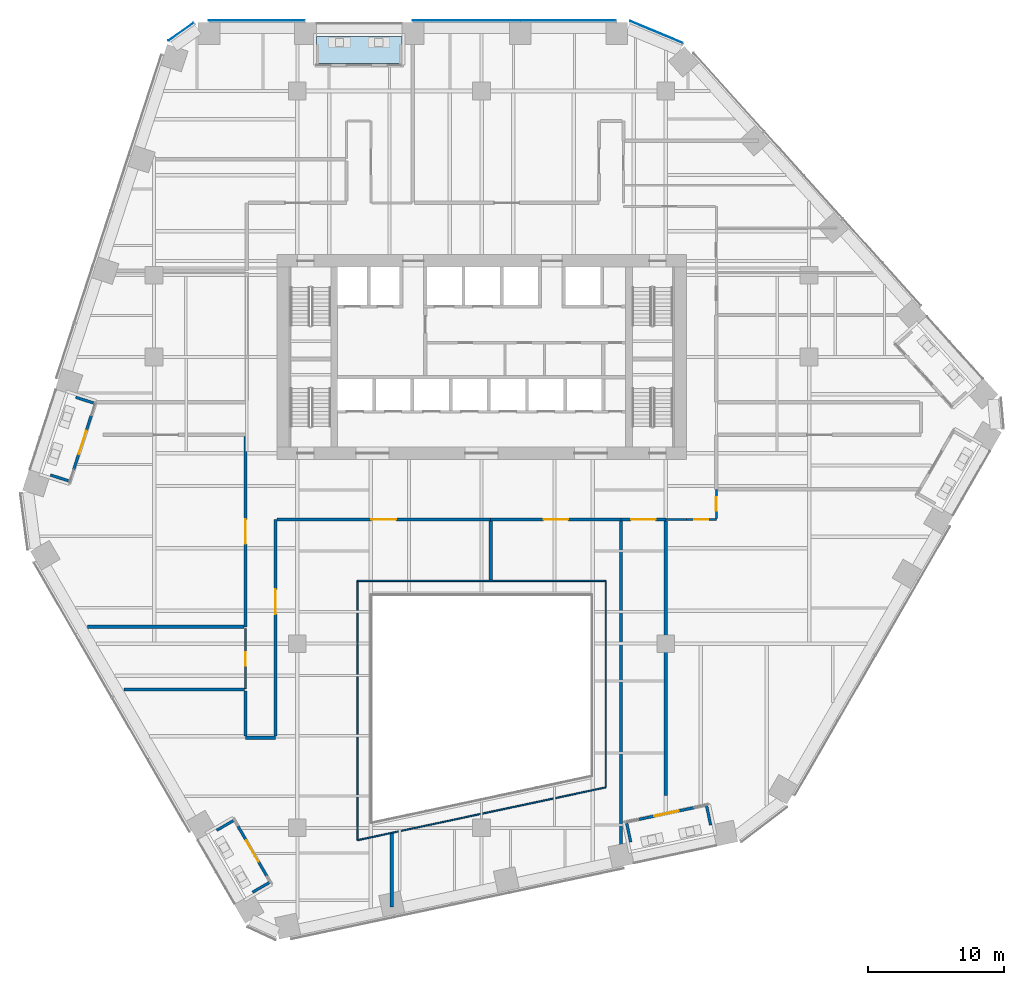
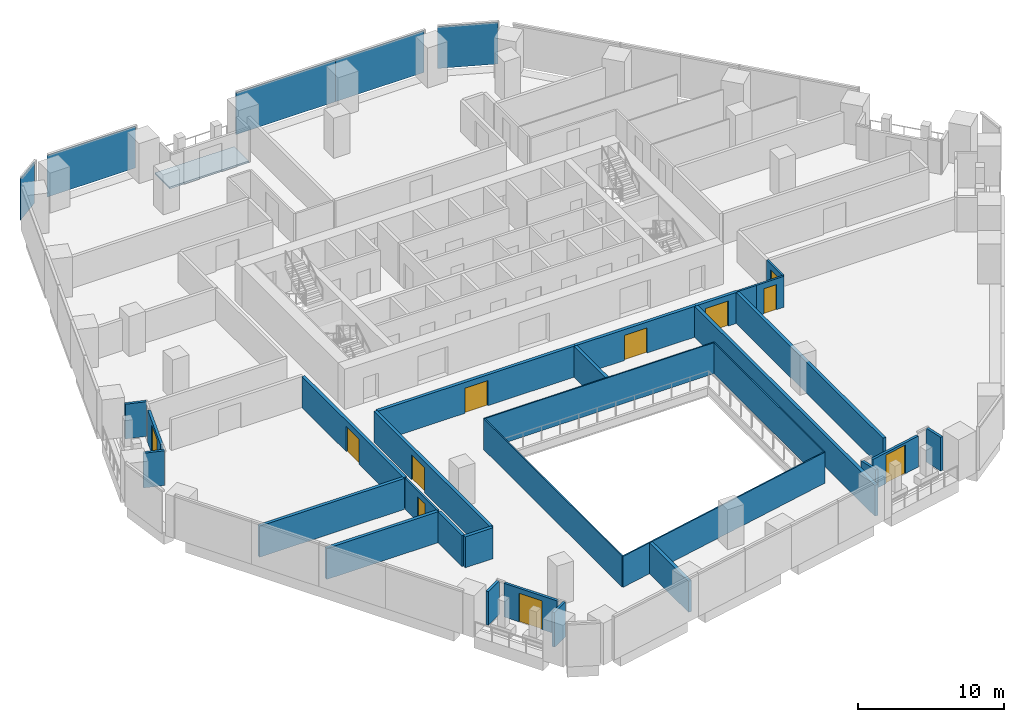
# One storey, part 22 of 31: 30 walls, 11 doors, 5 plates, 1 slab, 11 openings, 3 elements without a shape of their own.
"""IFC4 building model written with IfcOpenShell, lengths in metres."""

import ifcopenshell
import ifcopenshell.guid

model = None  # the IFC model being written
_history = None  # IfcOwnerHistory: only IFC2X3 demands one
_inside = {}  # id of a spatial element -> (the spatial element, [elements in it])
_under = {}  # id of a project, library or spatial element -> (it, [spatial elements below it])
_declared = {}  # id of a project -> (the project, [libraries it declares])
_typed = {}  # id of a type object -> (the type object, [elements of that type])
_made_of = {}  # id of a material, layer set ... -> (it, [elements and type objects made of it])


def new_model(schema):
    """Start an empty IFC model of exactly this schema.

    Asked for "IFC4X3", IfcOpenShell would pick the latest addendum, in which some entities
    have other attributes; the version numbers below select the first issue.
    IFC2X3 requires an IfcOwnerHistory on every rooted entity: one is made here for all.
    """
    global model, _history
    if schema == "IFC4X3":
        model = ifcopenshell.file(schema_version=(4, 3, 0, 0))
    else:
        model = ifcopenshell.file(schema=schema)
    _inside.clear()
    _under.clear()
    _declared.clear()
    _typed.clear()
    _made_of.clear()
    _history = None
    if model.schema == "IFC2X3":
        org = make("IfcOrganization", Name="unknown")
        user = make(
            "IfcPersonAndOrganization",
            ThePerson=make("IfcPerson", FamilyName="unknown"),
            TheOrganization=org,
        )
        app = make(
            "IfcApplication",
            ApplicationDeveloper=org,
            Version="unknown",
            ApplicationFullName="unknown",
            ApplicationIdentifier="unknown",
        )
        _history = make(
            "IfcOwnerHistory",
            OwningUser=user,
            OwningApplication=app,
            ChangeAction="ADDED",
            CreationDate=0,
        )
    return model


def make(cls, **values):
    """One entity of the class cls with the attributes given. An attribute that is None is left unset."""
    return model.create_entity(
        cls, **{name: value for name, value in values.items() if value is not None}
    )


def rooted(cls, **values):
    """An entity with a GlobalId (a new one), such as an element, a storey or a relation."""
    return make(cls, GlobalId=ifcopenshell.guid.new(), OwnerHistory=_history, **values)


def si_unit(unit_type, name, prefix=None):
    """IfcSIUnit, for example si_unit("LENGTHUNIT", "METRE", prefix="MILLI")."""
    return make("IfcSIUnit", UnitType=unit_type, Prefix=prefix, Name=name)


def assignment(units):
    """IfcUnitAssignment: the units of a project."""
    return None if units is None else make("IfcUnitAssignment", Units=units)


def point(xyz):
    """IfcCartesianPoint."""
    return None if xyz is None else make("IfcCartesianPoint", Coordinates=xyz)


def direction(xyz):
    """IfcDirection."""
    return None if xyz is None else make("IfcDirection", DirectionRatios=xyz)


def frame(location, z_axis=None, x_axis=None):
    """IfcAxis2Placement3D, a coordinate frame: its origin and axes. An axis left out is left unset."""
    return make(
        "IfcAxis2Placement3D",
        Location=point(location),
        Axis=direction(z_axis),
        RefDirection=direction(x_axis),
    )


def frame_2d(location, x_axis=None):
    """IfcAxis2Placement2D, a coordinate frame in the plane: its origin and x axis."""
    return make(
        "IfcAxis2Placement2D", Location=point(location), RefDirection=direction(x_axis)
    )


def origin():
    """The frame at (0, 0, 0) with its axes left unset."""
    return frame((0.0, 0.0, 0.0))


def origin_2d():
    """The frame at (0, 0) in the plane with its x axis left unset."""
    return frame_2d((0.0, 0.0))


def place(relative_to, where):
    """IfcLocalPlacement: puts the frame where relative to a parent placement (None: the world)."""
    return make(
        "IfcLocalPlacement", PlacementRelTo=relative_to, RelativePlacement=where
    )


def context(
    kind, dimensions, precision=None, world=None, true_north=None, identifier=None
):
    """IfcGeometricRepresentationContext, for example the 3D "Model" context."""
    return make(
        "IfcGeometricRepresentationContext",
        ContextIdentifier=identifier,
        ContextType=kind,
        CoordinateSpaceDimension=dimensions,
        Precision=precision,
        WorldCoordinateSystem=world,
        TrueNorth=true_north,
    )


def subcontext(parent, identifier, kind, view, scale=None):
    """IfcGeometricRepresentationSubContext, for example "Body" below "Model"."""
    return make(
        "IfcGeometricRepresentationSubContext",
        ContextIdentifier=identifier,
        ContextType=kind,
        ParentContext=parent,
        TargetScale=scale,
        TargetView=view,
    )


def project(units=None, contexts=None):
    """IfcProject with its units and contexts."""
    return rooted(
        "IfcProject",
        Name="project",
        RepresentationContexts=contexts,
        UnitsInContext=assignment(units),
    )


def spatial(cls, under=None, at=None, **own):
    """A site, building, storey or space (cls), placed at a placement, below another one or the project."""
    s = rooted(cls, ObjectPlacement=at, **own)
    if under is not None:
        _under.setdefault(under.id(), (under, []))[1].append(s)
    return s


def polyline(points):
    """IfcPolyline through the points."""
    return make("IfcPolyline", Points=[point(p) for p in points])


def profile(cls, at=None, kind="AREA", **sizes):
    """A parametric profile (cls). Its sizes go by their IFC names, for example OverallWidth=200.0."""
    return make(cls, ProfileType=kind, Position=at, **sizes)


def rectangle(**sizes):
    """IfcRectangleProfileDef."""
    return profile("IfcRectangleProfileDef", **sizes)


def outline(outer, holes=None, kind="AREA"):
    """IfcArbitraryClosedProfileDef: a profile drawn as a closed curve; with holes, ...WithVoids."""
    if holes is None:
        return make("IfcArbitraryClosedProfileDef", ProfileType=kind, OuterCurve=outer)
    return make(
        "IfcArbitraryProfileDefWithVoids",
        ProfileType=kind,
        OuterCurve=outer,
        InnerCurves=holes,
    )


def extrude(swept, where, along, depth):
    """IfcExtrudedAreaSolid: the profile swept, set in the frame where, extruded along a direction by depth."""
    return make(
        "IfcExtrudedAreaSolid",
        SweptArea=swept,
        Position=where,
        ExtrudedDirection=direction(along),
        Depth=depth,
    )


def shape(context_of_items, identifier, shape_type, items):
    """IfcShapeRepresentation: the items that make up one representation, for example the "Body"."""
    return make(
        "IfcShapeRepresentation",
        ContextOfItems=context_of_items,
        RepresentationIdentifier=identifier,
        RepresentationType=shape_type,
        Items=items,
    )


def material(Name=None, Category=None):
    """IfcMaterial."""
    return make("IfcMaterial", Name=Name, Category=Category)


def layer(
    of_material, thickness, ventilated=None, Name=None, Category=None, Priority=None
):
    """IfcMaterialLayer: one layer of a wall or slab, of a material (None: an air gap)."""
    return make(
        "IfcMaterialLayer",
        Material=of_material,
        LayerThickness=thickness,
        IsVentilated=ventilated,
        Name=Name,
        Category=Category,
        Priority=Priority,
    )


def layer_set(layers, Name=None):
    """IfcMaterialLayerSet."""
    return make("IfcMaterialLayerSet", MaterialLayers=layers, LayerSetName=Name)


def made_of(thing, what):
    """Note that an element or type object is made of a material, layer set ...; save() writes the relation."""
    if what is not None:
        _made_of.setdefault(what.id(), (what, []))[1].append(thing)
    return thing


def type_object(cls, material=None, **own):
    """A type object (cls), such as IfcWallType, which elements share."""
    return made_of(rooted(cls, **own), material)


def element(
    cls,
    number,
    at=None,
    inside=None,
    cuts=None,
    type_object=None,
    material=None,
    context=None,
    identifier="Body",
    shape_type=None,
    held_by="IfcProductDefinitionShape",
    body=None,
    shapes=None,
    **own,
):
    """One element of the class cls, such as IfcWall. Its Tag is "e" and its number.

    at: its placement. inside: the storey or other place that contains it. cuts: it is an
    opening in that element (IfcRelVoidsElement). A single representation is given by context,
    identifier, shape_type and body (its items); several are given by shapes. held_by: the class
    of the entity that holds the representations. save() writes the other relations.
    """
    e = rooted(cls, Tag="e%d" % number, ObjectPlacement=at, **own)
    if body is not None:
        shapes = [shape(context, identifier, shape_type, body)]
    if shapes is not None:
        e.Representation = make(held_by, Representations=shapes)
    if inside is not None:
        _inside.setdefault(inside.id(), (inside, []))[1].append(e)
    if cuts is not None:
        rooted(
            "IfcRelVoidsElement", RelatingBuildingElement=cuts, RelatedOpeningElement=e
        )
    if type_object is not None:
        _typed.setdefault(type_object.id(), (type_object, []))[1].append(e)
    return made_of(e, material)


def fill(opening, filler):
    """IfcRelFillsElement: the door or window that sits in an opening."""
    return rooted(
        "IfcRelFillsElement",
        RelatingOpeningElement=opening,
        RelatedBuildingElement=filler,
    )


def aggregate(whole, parts):
    """IfcRelAggregates: a whole, such as a stair, and the parts it consists of."""
    return rooted("IfcRelAggregates", RelatingObject=whole, RelatedObjects=parts)


def save(model, path):
    """Write the relations noted so far, then the file.

    IfcRelAggregates (storeys below a building ...), IfcRelContainedInSpatialStructure (elements
    in a storey), IfcRelDefinesByType, IfcRelAssociatesMaterial and IfcRelDeclares: one each for
    every whole, place, type object, material and project.
    """
    for whole, parts in _under.values():
        aggregate(whole, parts)
    for where, things in _inside.values():
        rooted(
            "IfcRelContainedInSpatialStructure",
            RelatedElements=things,
            RelatingStructure=where,
        )
    for kind, things in _typed.values():
        rooted("IfcRelDefinesByType", RelatedObjects=things, RelatingType=kind)
    for what, things in _made_of.values():
        rooted("IfcRelAssociatesMaterial", RelatedObjects=things, RelatingMaterial=what)
    for by, libraries in _declared.values():
        rooted("IfcRelDeclares", RelatingContext=by, RelatedDefinitions=libraries)
    model.write(path)


model = new_model("IFC4")

# Units and contexts
model_context = context("Model", 3, precision=1e-05, world=origin(), true_north=direction((0.0, 1.0)))
body_context = subcontext(model_context, "Body", "Model", "MODEL_VIEW")
ifc_project = project(units=[si_unit("LENGTHUNIT", "METRE"), si_unit("AREAUNIT", "SQUARE_METRE"), si_unit("VOLUMEUNIT", "CUBIC_METRE"), si_unit("PLANEANGLEUNIT", "RADIAN"), si_unit("MASSUNIT", "GRAM", prefix="KILO")], contexts=[model_context])

# Site, building, storey
site_placement = place(None, origin())
site = spatial("IfcSite", under=ifc_project, at=site_placement, CompositionType="ELEMENT")
building_placement = place(site_placement, origin())
building = spatial("IfcBuilding", under=site, at=building_placement, Name="Isthmus Gate Tower", CompositionType="ELEMENT")
storey_placement = place(building_placement, frame((0.0, 0.0, 113.5)))
storey = spatial("IfcBuildingStorey", under=building, at=storey_placement, Name="L27", CompositionType="ELEMENT", Elevation=113.5)

# Curtain wall, plates
ifc_material_1 = material(Name="Aluminium, pale champagne anodised", Category="aluminium")
ifc_layer_1 = layer(ifc_material_1, 0.199951171875)
ifc_layer_set_1 = layer_set([ifc_layer_1], Name="CW-1 UNITISED CURTAIN WALL 200 DEEP")
curtain_wall_type = type_object("IfcCurtainWallType", Name="CW-1 UNITISED CURTAIN WALL 200 DEEP", PredefinedType="NOTDEFINED", material=ifc_layer_set_1)
curtain_wall_1_placement = place(storey_placement, origin())
curtain_wall_1 = element("IfcCurtainWall", 1, at=curtain_wall_1_placement, inside=storey, type_object=curtain_wall_type, Name="CW-1 N L27", PredefinedType="NOTDEFINED")
ifc_material_2 = material(Name="Laminated low-iron glass, pale blue tint", Category="glass")
ifc_layer_2 = layer(ifc_material_2, 0.0400390625)
ifc_layer_set_2 = layer_set([ifc_layer_2], Name="CW-1 CLEAR GLASS LITE 40")
plate_type = type_object("IfcPlateType", Name="CW-1 CLEAR GLASS LITE 40", PredefinedType="CURTAIN_PANEL", material=ifc_layer_set_2)
plate_1_placement = place(storey_placement, frame((6.337158203125, 32.179931640625, 0.0), z_axis=(0.0, 0.0, 1.0), x_axis=(-1.0, 0.0, 0.0)))
plate_1 = element("IfcPlate", 2, at=plate_1_placement, type_object=plate_type, Name="CW-1 glass lite", PredefinedType="CURTAIN_PANEL", context=body_context, shape_type="SweptSolid", body=[
    extrude(rectangle(XDim=7.009521484375, YDim=0.0400390625, at=origin_2d()), origin(), (0.0, 0.0, 1.0), 3.5),
])
plate_2_placement = place(storey_placement, frame((-1.1025390625, 32.179931640625, 0.0), z_axis=(0.0, 0.0, 1.0), x_axis=(-1.0, 0.0, 0.0)))
plate_2 = element("IfcPlate", 3, at=plate_2_placement, type_object=plate_type, Name="CW-1 glass lite", PredefinedType="CURTAIN_PANEL", context=body_context, shape_type="SweptSolid", body=[
    extrude(rectangle(XDim=7.86962890625, YDim=0.0400390625, at=origin_2d()), origin(), (0.0, 0.0, 1.0), 3.5),
])
plate_3_placement = place(storey_placement, frame((-16.471435546875, 32.179931640625, 0.0), z_axis=(0.0, 0.0, 1.0), x_axis=(-1.0, 0.0, 0.0)))
plate_3 = element("IfcPlate", 4, at=plate_3_placement, type_object=plate_type, Name="CW-1 glass lite", PredefinedType="CURTAIN_PANEL", context=body_context, shape_type="SweptSolid", body=[
    extrude(rectangle(XDim=7.009521484375, YDim=0.0400390625, at=origin_2d()), origin(), (0.0, 0.0, 1.0), 3.5),
])
aggregate(curtain_wall_1, [plate_1, plate_2, plate_3])

# Curtain wall, plate
curtain_wall_2_placement = place(storey_placement, origin())
curtain_wall_2 = element("IfcCurtainWall", 5, at=curtain_wall_2_placement, inside=storey, type_object=curtain_wall_type, Name="CW-1 N-NW L27", PredefinedType="NOTDEFINED")
plate_4_placement = place(storey_placement, frame((-22.025146484375, 31.341552734375, 0.0), z_axis=(0.0, 0.0, 1.0), x_axis=(-0.81785959165, -0.57541783805, 0.0)))
plate_4 = element("IfcPlate", 6, at=plate_4_placement, type_object=plate_type, Name="CW-1 glass lite", PredefinedType="CURTAIN_PANEL", context=body_context, shape_type="SweptSolid", body=[
    extrude(rectangle(XDim=2.258544921875, YDim=0.0400390625, at=origin_2d()), origin(), (0.0, 0.0, 1.0), 3.5),
])
aggregate(curtain_wall_2, [plate_4])

curtain_wall_3_placement = place(storey_placement, origin())
curtain_wall_3 = element("IfcCurtainWall", 7, at=curtain_wall_3_placement, inside=storey, type_object=curtain_wall_type, Name="CW-1 NE-N L27", PredefinedType="NOTDEFINED")
plate_5_placement = place(storey_placement, frame((12.816650390625, 31.315673828125, 0.0), z_axis=(0.0, 0.0, 1.0), x_axis=(-0.923353128387, 0.383951820282, 0.0)))
plate_5 = element("IfcPlate", 8, at=plate_5_placement, type_object=plate_type, Name="CW-1 glass lite", PredefinedType="CURTAIN_PANEL", context=body_context, shape_type="SweptSolid", body=[
    extrude(rectangle(XDim=4.181396484375, YDim=0.0400390625, at=origin_2d()), origin(), (0.0, 0.0, 1.0), 3.5),
])
aggregate(curtain_wall_3, [plate_5])

# Slab
ifc_material_3 = material(Name="Concrete f'c 50 MPa", Category="concrete")
ifc_layer_3 = layer(ifc_material_3, 0.14990234375)
ifc_layer_set_3 = layer_set([ifc_layer_3], Name="LOGGIA FLOOR SLAB 150")
slab_type = type_object("IfcSlabType", Name="LOGGIA FLOOR SLAB 150", PredefinedType="FLOOR", material=ifc_layer_set_3)
slab_placement = place(storey_placement, frame((0.0, 0.0, -0.14990234375)))
element("IfcSlab", 9, at=slab_placement, inside=storey, type_object=slab_type, Name="LOGGIA FLOOR", PredefinedType="FLOOR", context=body_context, shape_type="SweptSolid", body=[
    extrude(outline(polyline([(-5.837158203125, 31.0), (-12.106689453125, 31.0), (-12.106689453125, 29.0), (-5.837158203125, 29.0), (-5.837158203125, 31.0)])), origin(), (0.0, 0.0, 1.0), 0.14990234375),
])

# Wall, opening, door
ifc_material_4 = material(Name="Double-leaf acoustic stud wall, fire-rated", Category="gypsum")
ifc_layer_4 = layer(ifc_material_4, 0.25)
ifc_layer_set_4 = layer_set([ifc_layer_4], Name="ACOUSTIC WALL 250 60 MIN")
wall_type_1 = type_object("IfcWallType", Name="ACOUSTIC WALL 250 60 MIN", PredefinedType="PARTITIONING", material=ifc_layer_set_4)
wall_1_placement = place(storey_placement, frame((0.658935546875, -4.39990234375, 0.0), z_axis=(0.0, 0.0, 1.0), x_axis=(-1.0, 0.0, 0.0)))
wall_1 = element("IfcWall", 10, at=wall_1_placement, inside=storey, type_object=wall_type_1, Name="L27 Acoustic Wall 250 60 Min", PredefinedType="PARTITIONING", context=body_context, shape_type="SweptSolid", body=[
    extrude(rectangle(XDim=15.634033203125, YDim=0.25, at=frame_2d((7.81689453125, 0.0))), origin(), (0.0, 0.0, 1.0), 2.59130859375),
])
opening_1_placement = place(wall_1_placement, frame((6.929443359375, 0.0, 0.0)))
opening_1 = element("IfcOpeningElement", 11, at=opening_1_placement, cuts=wall_1, Name="Opening DT-T2D-15", PredefinedType="OPENING", context=body_context, shape_type="SweptSolid", body=[
    extrude(rectangle(XDim=1.800048828125, YDim=2.10009765625, at=frame_2d((0.89990234375, 1.050048828125))), frame((0.0, 0.135009765625, 0.0), z_axis=(0.0, -1.0, 0.0), x_axis=(1.0, 0.0, 0.0)), (0.0, 0.0, 1.0), 0.27001953125),
])
ifc_material_5 = material(Name="Solid core timber door leaf, fire-rated", Category="wood")
door_type_1 = type_object("IfcDoorType", Name="FIRE DOOR ACOUSTIC ROOM 1800 X 2100 60 MIN", OperationType="DOUBLE_DOOR_DOUBLE_SWING", PredefinedType="DOOR", material=ifc_material_5)
door_1_placement = place(opening_1_placement, origin())
door_1 = element("IfcDoor", 12, at=door_1_placement, inside=storey, type_object=door_type_1, Name="L27 room door", OperationType="DOUBLE_DOOR_DOUBLE_SWING", OverallHeight=2.10009765625, OverallWidth=1.800048828125, PredefinedType="DOOR", context=body_context, shape_type="SweptSolid", body=[
    extrude(rectangle(XDim=1.800048828125, YDim=2.10009765625, at=frame_2d((0.89990234375, 1.050048828125))), frame((0.0, 0.02490234375, 0.0), z_axis=(0.0, -1.0, 0.0), x_axis=(1.0, 0.0, 0.0)), (0.0, 0.0, 1.0), 0.050048828125),
])
fill(opening_1, door_1)

wall_2_placement = place(storey_placement, frame((10.212890625, -4.39990234375, 0.0), z_axis=(0.0, 0.0, 1.0), x_axis=(-1.0, 0.0, 0.0)))
wall_2 = element("IfcWall", 13, at=wall_2_placement, inside=storey, type_object=wall_type_1, Name="L27 Acoustic Wall 250 60 Min", PredefinedType="PARTITIONING", context=body_context, shape_type="SweptSolid", body=[
    extrude(rectangle(XDim=9.553955078125, YDim=0.25, at=frame_2d((4.77685546875, 0.0))), origin(), (0.0, 0.0, 1.0), 2.59130859375),
])
opening_2_placement = place(wall_2_placement, frame((3.876953125, 0.0, 0.0)))
opening_2 = element("IfcOpeningElement", 14, at=opening_2_placement, cuts=wall_2, Name="Opening DT-T2D-16", PredefinedType="OPENING", context=body_context, shape_type="SweptSolid", body=[
    extrude(rectangle(XDim=1.800048828125, YDim=2.10009765625, at=frame_2d((0.89990234375, 1.050048828125))), frame((0.0, 0.135009765625, 0.0), z_axis=(0.0, -1.0, 0.0), x_axis=(1.0, 0.0, 0.0)), (0.0, 0.0, 1.0), 0.27001953125),
])
door_2_placement = place(opening_2_placement, origin())
door_2 = element("IfcDoor", 15, at=door_2_placement, inside=storey, type_object=door_type_1, Name="L27 room door", OperationType="DOUBLE_DOOR_DOUBLE_SWING", OverallHeight=2.10009765625, OverallWidth=1.800048828125, PredefinedType="DOOR", context=body_context, shape_type="SweptSolid", body=[
    extrude(rectangle(XDim=1.800048828125, YDim=2.10009765625, at=frame_2d((0.89990234375, 1.050048828125))), frame((0.0, 0.02490234375, 0.0), z_axis=(0.0, -1.0, 0.0), x_axis=(1.0, 0.0, 0.0)), (0.0, 0.0, 1.0), 0.050048828125),
])
fill(opening_2, door_2)

wall_3_placement = place(storey_placement, frame((13.5, -4.39990234375, 0.0), z_axis=(0.0, 0.0, 1.0), x_axis=(-1.0, 0.0, 0.0)))
wall_3 = element("IfcWall", 16, at=wall_3_placement, inside=storey, type_object=wall_type_1, Name="L27 Acoustic Wall 250 60 Min", PredefinedType="PARTITIONING", context=body_context, shape_type="SweptSolid", body=[
    extrude(rectangle(XDim=3.287109375, YDim=0.25, at=frame_2d((1.6435546875, 0.0))), origin(), (0.0, 0.0, 1.0), 2.59130859375),
])
opening_3_placement = place(wall_3_placement, frame((0.743408203125, 0.0, 0.0)))
opening_3 = element("IfcOpeningElement", 17, at=opening_3_placement, cuts=wall_3, Name="Opening DT-T2D-18", PredefinedType="OPENING", context=body_context, shape_type="SweptSolid", body=[
    extrude(rectangle(XDim=1.800048828125, YDim=2.10009765625, at=frame_2d((0.89990234375, 1.050048828125))), frame((0.0, 0.135009765625, 0.0), z_axis=(0.0, -1.0, 0.0), x_axis=(1.0, 0.0, 0.0)), (0.0, 0.0, 1.0), 0.27001953125),
])
door_3_placement = place(opening_3_placement, origin())
door_3 = element("IfcDoor", 18, at=door_3_placement, inside=storey, type_object=door_type_1, Name="L27 room door", OperationType="DOUBLE_DOOR_DOUBLE_SWING", OverallHeight=2.10009765625, OverallWidth=1.800048828125, PredefinedType="DOOR", context=body_context, shape_type="SweptSolid", body=[
    extrude(rectangle(XDim=1.800048828125, YDim=2.10009765625, at=frame_2d((0.89990234375, 1.050048828125))), frame((0.0, 0.02490234375, 0.0), z_axis=(0.0, -1.0, 0.0), x_axis=(1.0, 0.0, 0.0)), (0.0, 0.0, 1.0), 0.050048828125),
])
fill(opening_3, door_3)

# Wall
wall_4_placement = place(storey_placement, frame((-15.10009765625, -20.39990234375, 0.0), z_axis=(0.0, 0.0, 1.0), x_axis=(-1.0, 0.0, 0.0)))
element("IfcWall", 19, at=wall_4_placement, inside=storey, type_object=wall_type_1, Name="L27 Acoustic Wall 250 60 Min", PredefinedType="PARTITIONING", context=body_context, shape_type="SweptSolid", body=[
    extrude(rectangle(XDim=2.199951171875, YDim=0.25, at=frame_2d((1.10009765625, 0.0))), origin(), (0.0, 0.0, 1.0), 2.59130859375),
])

# Wall, opening, door
wall_5_placement = place(storey_placement, frame((-15.10009765625, -4.39990234375, 0.0), z_axis=(0.0, 0.0, 1.0), x_axis=(0.0, -1.0, 0.0)))
wall_5 = element("IfcWall", 20, at=wall_5_placement, inside=storey, type_object=wall_type_1, Name="L27 Acoustic Wall 250 60 Min", PredefinedType="PARTITIONING", context=body_context, shape_type="SweptSolid", body=[
    extrude(rectangle(XDim=15.875, YDim=0.25, at=frame_2d((7.9375, 0.0))), origin(), (0.0, 0.0, 1.0), 2.59130859375),
])
opening_4_placement = place(wall_5_placement, frame((5.132568359375, 0.0, 0.0)))
opening_4 = element("IfcOpeningElement", 21, at=opening_4_placement, cuts=wall_5, Name="Opening DT-T2D-14", PredefinedType="OPENING", context=body_context, shape_type="SweptSolid", body=[
    extrude(rectangle(XDim=1.800048828125, YDim=2.10009765625, at=frame_2d((0.89990234375, 1.050048828125))), frame((0.0, 0.135009765625, 0.0), z_axis=(0.0, -1.0, 0.0), x_axis=(1.0, 0.0, 0.0)), (0.0, 0.0, 1.0), 0.27001953125),
])
door_4_placement = place(opening_4_placement, origin())
door_4 = element("IfcDoor", 22, at=door_4_placement, inside=storey, type_object=door_type_1, Name="L27 room door", OperationType="DOUBLE_DOOR_DOUBLE_SWING", OverallHeight=2.10009765625, OverallWidth=1.800048828125, PredefinedType="DOOR", context=body_context, shape_type="SweptSolid", body=[
    extrude(rectangle(XDim=1.800048828125, YDim=2.10009765625, at=frame_2d((0.89990234375, 1.050048828125))), frame((0.0, 0.02490234375, 0.0), z_axis=(0.0, -1.0, 0.0), x_axis=(1.0, 0.0, 0.0)), (0.0, 0.0, 1.0), 0.050048828125),
])
fill(opening_4, door_4)

wall_6_placement = place(storey_placement, frame((-17.300048828125, -12.264892578125, 0.0), z_axis=(0.0, 0.0, 1.0), x_axis=(0.0, 1.0, 0.0)))
wall_6 = element("IfcWall", 23, at=wall_6_placement, inside=storey, type_object=wall_type_1, Name="L27 Acoustic Wall 250 60 Min", PredefinedType="PARTITIONING", context=body_context, shape_type="SweptSolid", body=[
    extrude(rectangle(XDim=13.93994140625, YDim=0.25, at=frame_2d((6.969970703125, 0.0))), origin(), (0.0, 0.0, 1.0), 2.59130859375),
])
opening_5_placement = place(wall_6_placement, frame((6.070068359375, 0.0, 0.0)))
opening_5 = element("IfcOpeningElement", 24, at=opening_5_placement, cuts=wall_6, Name="Opening DT-T2D-09", PredefinedType="OPENING", context=body_context, shape_type="SweptSolid", body=[
    extrude(rectangle(XDim=1.800048828125, YDim=2.10009765625, at=frame_2d((0.89990234375, 1.050048828125))), frame((0.0, 0.135009765625, 0.0), z_axis=(0.0, -1.0, 0.0), x_axis=(1.0, 0.0, 0.0)), (0.0, 0.0, 1.0), 0.27001953125),
])
door_5_placement = place(opening_5_placement, origin())
door_5 = element("IfcDoor", 25, at=door_5_placement, inside=storey, type_object=door_type_1, Name="L27 room door", OperationType="DOUBLE_DOOR_DOUBLE_SWING", OverallHeight=2.10009765625, OverallWidth=1.800048828125, PredefinedType="DOOR", context=body_context, shape_type="SweptSolid", body=[
    extrude(rectangle(XDim=1.800048828125, YDim=2.10009765625, at=frame_2d((0.89990234375, 1.050048828125))), frame((0.0, 0.02490234375, 0.0), z_axis=(0.0, -1.0, 0.0), x_axis=(1.0, 0.0, 0.0)), (0.0, 0.0, 1.0), 0.050048828125),
])
fill(opening_5, door_5)

# Walls
wall_7_placement = place(storey_placement, frame((-28.8759765625, -12.264892578125, 0.0), z_axis=(0.0, 0.0, 1.0), x_axis=(1.0, 0.0, 0.0)))
element("IfcWall", 26, at=wall_7_placement, inside=storey, type_object=wall_type_1, Name="L27 Acoustic Wall 250 60 Min", PredefinedType="PARTITIONING", context=body_context, shape_type="SweptSolid", body=[
    extrude(rectangle(XDim=11.450927734375, YDim=0.25, at=frame_2d((5.7255859375, 0.0))), origin(), (0.0, 0.0, 1.0), 2.59130859375),
])
wall_8_placement = place(storey_placement, frame((-26.221923828125, -16.862060546875, 0.0), z_axis=(0.0, 0.0, 1.0), x_axis=(1.0, 0.0, 0.0)))
element("IfcWall", 27, at=wall_8_placement, inside=storey, type_object=wall_type_1, Name="L27 Acoustic Wall 250 60 Min", PredefinedType="PARTITIONING", context=body_context, shape_type="SweptSolid", body=[
    extrude(rectangle(XDim=8.846923828125, YDim=0.25, at=frame_2d((4.42333984375, 0.0))), origin(), (0.0, 0.0, 1.0), 2.59130859375),
])
wall_9_placement = place(storey_placement, frame((-17.300048828125, -20.27490234375, 0.0), z_axis=(0.0, 0.0, 1.0), x_axis=(0.0, 1.0, 0.0)))
element("IfcWall", 28, at=wall_9_placement, inside=storey, type_object=wall_type_1, Name="L27 Acoustic Wall 250 60 Min", PredefinedType="PARTITIONING", context=body_context, shape_type="SweptSolid", body=[
    extrude(rectangle(XDim=3.287841796875, YDim=0.25, at=frame_2d((1.64404296875, 0.0))), origin(), (0.0, 0.0, 1.0), 2.59130859375),
])
wall_10_placement = place(storey_placement, frame((-6.590087890625, -32.787109375, 0.0), z_axis=(0.0, 0.0, 1.0), x_axis=(0.0, 1.0, 0.0)))
element("IfcWall", 29, at=wall_10_placement, inside=storey, type_object=wall_type_1, Name="L27 Acoustic Wall 250 60 Min", PredefinedType="PARTITIONING", context=body_context, shape_type="SweptSolid", body=[
    extrude(rectangle(XDim=5.3671875, YDim=0.25, at=frame_2d((2.68359375, 0.0))), origin(), (0.0, 0.0, 1.0), 2.59130859375),
])
wall_11_placement = place(storey_placement, frame((0.658935546875, -8.85009765625, 0.0), z_axis=(0.0, 0.0, 1.0), x_axis=(0.0, 1.0, 0.0)))
element("IfcWall", 30, at=wall_11_placement, inside=storey, type_object=wall_type_1, Name="L27 Acoustic Wall 250 60 Min", PredefinedType="PARTITIONING", context=body_context, shape_type="SweptSolid", body=[
    extrude(rectangle(XDim=4.3251953125, YDim=0.25, at=frame_2d((2.16259765625, 0.0))), origin(), (0.0, 0.0, 1.0), 2.59130859375),
])
wall_12_placement = place(storey_placement, frame((10.212890625, -29.216064453125, 0.0), z_axis=(0.0, 0.0, 1.0), x_axis=(0.0, 1.0, 0.0)))
element("IfcWall", 31, at=wall_12_placement, inside=storey, type_object=wall_type_1, Name="L27 Acoustic Wall 250 60 Min", PredefinedType="PARTITIONING", context=body_context, shape_type="SweptSolid", body=[
    extrude(rectangle(XDim=24.691162109375, YDim=0.25, at=frame_2d((12.345703125, 0.0))), origin(), (0.0, 0.0, 1.0), 2.59130859375),
])
wall_13_placement = place(storey_placement, frame((13.5, -24.630126953125, 0.0), z_axis=(0.0, 0.0, 1.0), x_axis=(0.0, 1.0, 0.0)))
element("IfcWall", 32, at=wall_13_placement, inside=storey, type_object=wall_type_1, Name="L27 Acoustic Wall 250 60 Min", PredefinedType="PARTITIONING", context=body_context, shape_type="SweptSolid", body=[
    extrude(rectangle(XDim=20.105224609375, YDim=0.25, at=frame_2d((10.052734375, 0.0))), origin(), (0.0, 0.0, 1.0), 2.59130859375),
])
ifc_material_6 = material(Name="Fire-rated laminated glass in steel frame", Category="steel")
ifc_layer_5 = layer(ifc_material_6, 0.10009765625)
ifc_layer_set_5 = layer_set([ifc_layer_5], Name="ATRIUM SCREEN GLAZED WALL 100 120 MIN")
wall_type_2 = type_object("IfcWallType", Name="ATRIUM SCREEN GLAZED WALL 100 120 MIN", PredefinedType="PARTITIONING", material=ifc_layer_set_5)
wall_14_placement = place(storey_placement, frame((-9.10009765625, -8.89990234375, 0.0), z_axis=(0.0, 0.0, 1.0), x_axis=(1.0, 0.0, 0.0)))
element("IfcWall", 33, at=wall_14_placement, inside=storey, type_object=wall_type_2, Name="L27 atrium screen", PredefinedType="PARTITIONING", context=body_context, shape_type="SweptSolid", body=[
    extrude(rectangle(XDim=18.2001953125, YDim=0.10009765625, at=frame_2d((9.10009765625, 0.0))), origin(), (0.0, 0.0, 1.0), 2.59130859375),
])
wall_15_placement = place(storey_placement, frame((9.10009765625, -8.89990234375, 0.0), z_axis=(0.0, 0.0, 1.0), x_axis=(0.0, -1.0, 0.0)))
element("IfcWall", 34, at=wall_15_placement, inside=storey, type_object=wall_type_2, Name="L27 atrium screen", PredefinedType="PARTITIONING", context=body_context, shape_type="SweptSolid", body=[
    extrude(rectangle(XDim=15.134033203125, YDim=0.10009765625, at=frame_2d((7.56689453125, 0.0))), origin(), (0.0, 0.0, 1.0), 2.59130859375),
])
wall_16_placement = place(storey_placement, frame((9.10009765625, -24.033935546875, 0.0), z_axis=(0.0, 0.0, 1.0), x_axis=(-0.978146710971, -0.207915876778, 0.0)))
element("IfcWall", 35, at=wall_16_placement, inside=storey, type_object=wall_type_2, Name="L27 atrium screen", PredefinedType="PARTITIONING", context=body_context, shape_type="SweptSolid", body=[
    extrude(rectangle(XDim=18.60693359375, YDim=0.10009765625, at=frame_2d((9.303466796875, 0.0))), origin(), (0.0, 0.0, 1.0), 2.59130859375),
])
wall_17_placement = place(storey_placement, frame((-9.10009765625, -27.902587890625, 0.0), z_axis=(0.0, 0.0, 1.0), x_axis=(0.0, 1.0, 0.0)))
element("IfcWall", 36, at=wall_17_placement, inside=storey, type_object=wall_type_2, Name="L27 atrium screen", PredefinedType="PARTITIONING", context=body_context, shape_type="SweptSolid", body=[
    extrude(rectangle(XDim=19.002685546875, YDim=0.10009765625, at=frame_2d((9.50146484375, 0.0))), origin(), (0.0, 0.0, 1.0), 2.59130859375),
])
ifc_material_7 = material(Name="Gypsum board on steel studs, fire-rated", Category="steel")
ifc_layer_6 = layer(ifc_material_7, 0.14990234375)
ifc_layer_set_6 = layer_set([ifc_layer_6], Name="CORRIDOR WALL 150 60 MIN")
wall_type_3 = type_object("IfcWallType", Name="CORRIDOR WALL 150 60 MIN", PredefinedType="PARTITIONING", material=ifc_layer_set_6)
wall_18_placement = place(storey_placement, frame((15.0, -4.39990234375, 0.0), z_axis=(0.0, 0.0, 1.0), x_axis=(-1.0, 0.0, 0.0)))
element("IfcWall", 37, at=wall_18_placement, inside=storey, type_object=wall_type_3, Name="L27 Corridor Wall 150 60 Min", PredefinedType="PARTITIONING", context=body_context, shape_type="SweptSolid", body=[
    extrude(rectangle(XDim=1.5, YDim=0.14990234375, at=frame_2d((0.75, 0.0))), origin(), (0.0, 0.0, 1.0), 2.59130859375),
])

# Wall, opening, door
wall_19_placement = place(storey_placement, frame((17.199951171875, -4.39990234375, 0.0), z_axis=(0.0, 0.0, 1.0), x_axis=(-1.0, 0.0, 0.0)))
wall_19 = element("IfcWall", 38, at=wall_19_placement, inside=storey, type_object=wall_type_3, Name="L27 Corridor Wall 150 60 Min", PredefinedType="PARTITIONING", context=body_context, shape_type="SweptSolid", body=[
    extrude(rectangle(XDim=2.199951171875, YDim=0.14990234375, at=frame_2d((1.10009765625, 0.0))), origin(), (0.0, 0.0, 1.0), 2.59130859375),
])
opening_6_placement = place(wall_19_placement, frame((0.60009765625, 0.0, 0.0)))
opening_6 = element("IfcOpeningElement", 39, at=opening_6_placement, cuts=wall_19, Name="Opening DT-T2D-11", PredefinedType="OPENING", context=body_context, shape_type="SweptSolid", body=[
    extrude(rectangle(XDim=1.0, YDim=2.10009765625, at=frame_2d((0.5, 1.050048828125))), frame((0.0, 0.0849609375, 0.0), z_axis=(0.0, -1.0, 0.0), x_axis=(1.0, 0.0, 0.0)), (0.0, 0.0, 1.0), 0.169921875),
])
ifc_material_8 = material(Name="Solid core timber door leaf, fire-rated", Category="wood")
door_type_2 = type_object("IfcDoorType", Name="FIRE DOOR ROOM 1000 X 2100 60 MIN", OperationType="SINGLE_SWING_LEFT", PredefinedType="DOOR", material=ifc_material_8)
door_6_placement = place(opening_6_placement, origin())
door_6 = element("IfcDoor", 40, at=door_6_placement, inside=storey, type_object=door_type_2, Name="L27 room door", OperationType="SINGLE_SWING_RIGHT", OverallHeight=2.10009765625, OverallWidth=1.0, PredefinedType="DOOR", context=body_context, shape_type="SweptSolid", body=[
    extrude(rectangle(XDim=1.0, YDim=2.10009765625, at=frame_2d((0.5, 1.050048828125))), frame((0.0, 0.02490234375, 0.0), z_axis=(0.0, -1.0, 0.0), x_axis=(1.0, 0.0, 0.0)), (0.0, 0.0, 1.0), 0.050048828125),
])
fill(opening_6, door_6)

wall_20_placement = place(storey_placement, frame((17.199951171875, -2.199951171875, 0.0), z_axis=(0.0, 0.0, 1.0), x_axis=(0.0, -1.0, 0.0)))
wall_20 = element("IfcWall", 41, at=wall_20_placement, inside=storey, type_object=wall_type_3, Name="L27 Corridor Wall 150 60 Min", PredefinedType="PARTITIONING", context=body_context, shape_type="SweptSolid", body=[
    extrude(rectangle(XDim=2.125, YDim=0.14990234375, at=frame_2d((1.0625, 0.0))), origin(), (0.0, 0.0, 1.0), 2.59130859375),
])
opening_7_placement = place(wall_20_placement, frame((0.5625, 0.0, 0.0)))
opening_7 = element("IfcOpeningElement", 42, at=opening_7_placement, cuts=wall_20, Name="Opening DT-T2D-12", PredefinedType="OPENING", context=body_context, shape_type="SweptSolid", body=[
    extrude(rectangle(XDim=1.0, YDim=2.10009765625, at=frame_2d((0.5, 1.050048828125))), frame((0.0, 0.0849609375, 0.0), z_axis=(0.0, -1.0, 0.0), x_axis=(1.0, 0.0, 0.0)), (0.0, 0.0, 1.0), 0.169921875),
])
door_7_placement = place(opening_7_placement, origin())
door_7 = element("IfcDoor", 43, at=door_7_placement, inside=storey, type_object=door_type_2, Name="L27 room door", OperationType="SINGLE_SWING_RIGHT", OverallHeight=2.10009765625, OverallWidth=1.0, PredefinedType="DOOR", context=body_context, shape_type="SweptSolid", body=[
    extrude(rectangle(XDim=1.0, YDim=2.10009765625, at=frame_2d((0.5, 1.050048828125))), frame((0.0, 0.02490234375, 0.0), z_axis=(0.0, -1.0, 0.0), x_axis=(1.0, 0.0, 0.0)), (0.0, 0.0, 1.0), 0.050048828125),
])
fill(opening_7, door_7)

wall_21_placement = place(storey_placement, frame((-17.300048828125, -16.81201171875, 0.0), z_axis=(0.0, 0.0, 1.0), x_axis=(0.0, 1.0, 0.0)))
wall_21 = element("IfcWall", 44, at=wall_21_placement, inside=storey, type_object=wall_type_3, Name="L27 Corridor Wall 150 60 Min", PredefinedType="PARTITIONING", context=body_context, shape_type="SweptSolid", body=[
    extrude(rectangle(XDim=4.422119140625, YDim=0.14990234375, at=frame_2d((2.2109375, 0.0))), origin(), (0.0, 0.0, 1.0), 2.59130859375),
])
opening_8_placement = place(wall_21_placement, frame((1.68603515625, 0.0, 0.0)))
opening_8 = element("IfcOpeningElement", 45, at=opening_8_placement, cuts=wall_21, Name="Opening DT-T2D-13", PredefinedType="OPENING", context=body_context, shape_type="SweptSolid", body=[
    extrude(rectangle(XDim=1.0, YDim=2.10009765625, at=frame_2d((0.5, 1.050048828125))), frame((0.0, 0.0849609375, 0.0), z_axis=(0.0, -1.0, 0.0), x_axis=(1.0, 0.0, 0.0)), (0.0, 0.0, 1.0), 0.169921875),
])
door_8_placement = place(opening_8_placement, origin())
door_8 = element("IfcDoor", 46, at=door_8_placement, inside=storey, type_object=door_type_2, Name="L27 room door", OperationType="SINGLE_SWING_RIGHT", OverallHeight=2.10009765625, OverallWidth=1.0, PredefinedType="DOOR", context=body_context, shape_type="SweptSolid", body=[
    extrude(rectangle(XDim=1.0, YDim=2.10009765625, at=frame_2d((0.5, 1.050048828125))), frame((0.0, 0.02490234375, 0.0), z_axis=(0.0, -1.0, 0.0), x_axis=(1.0, 0.0, 0.0)), (0.0, 0.0, 1.0), 0.050048828125),
])
fill(opening_8, door_8)

ifc_material_9 = material(Name="Precast concrete C40/50", Category="concrete")
ifc_layer_7 = layer(ifc_material_9, 0.199951171875)
ifc_layer_set_7 = layer_set([ifc_layer_7], Name="LOGGIA WALL 200")
wall_type_4 = type_object("IfcWallType", Name="LOGGIA WALL 200", PredefinedType="SOLIDWALL", material=ifc_layer_set_7)
wall_22_placement = place(storey_placement, frame((-28.59814453125, 3.243408203125, 0.0), z_axis=(0.0, 0.0, 1.0), x_axis=(-0.308999325213, -0.951062257173, 0.0)))
wall_22 = element("IfcWall", 47, at=wall_22_placement, inside=storey, type_object=wall_type_4, Name="LOGGIA BACK WALL", PredefinedType="SOLIDWALL", context=body_context, shape_type="SweptSolid", body=[
    extrude(rectangle(XDim=4.2001953125, YDim=0.199951171875, at=frame_2d((2.10009765625, 0.0))), origin(), (0.0, 0.0, 1.0), 2.75),
])
opening_9_placement = place(wall_22_placement, frame((1.199951171875, 0.0, 0.0)))
opening_9 = element("IfcOpeningElement", 48, at=opening_9_placement, cuts=wall_22, Name="Opening DE27-02", PredefinedType="OPENING", context=body_context, shape_type="SweptSolid", body=[
    extrude(rectangle(XDim=1.800048828125, YDim=2.39990234375, at=frame_2d((0.89990234375, 1.199951171875))), frame((0.0, 0.10986328125, 0.0), z_axis=(0.0, -1.0, 0.0), x_axis=(1.0, 0.0, 0.0)), (0.0, 0.0, 1.0), 0.219970703125),
])
ifc_material_10 = material(Name="Aluminium, pale champagne anodised, laminated glass", Category="aluminium")
door_type_3 = type_object("IfcDoorType", Name="LOGGIA DOOR SLIDING 1800 X 2400", OperationType="DOUBLE_DOOR_SLIDING", PredefinedType="DOOR", material=ifc_material_10)
door_9_placement = place(opening_9_placement, origin())
door_9 = element("IfcDoor", 49, at=door_9_placement, inside=storey, type_object=door_type_3, Name="DOOR DE27-02", OperationType="SINGLE_SWING_LEFT", OverallHeight=2.39990234375, OverallWidth=1.800048828125, PredefinedType="DOOR", context=body_context, shape_type="SweptSolid", body=[
    extrude(rectangle(XDim=1.800048828125, YDim=2.39990234375, at=frame_2d((0.89990234375, 1.199951171875))), frame((0.0, 0.02490234375, 0.0), z_axis=(0.0, -1.0, 0.0), x_axis=(1.0, 0.0, 0.0)), (0.0, 0.0, 1.0), 0.050048828125),
])
fill(opening_9, door_9)

# Walls
wall_23_placement = place(storey_placement, frame((-29.748291015625, 4.5576171875, 0.0), z_axis=(0.0, 0.0, 1.0), x_axis=(0.951073957858, -0.30896330961, 0.0)))
element("IfcWall", 50, at=wall_23_placement, inside=storey, type_object=wall_type_4, Name="LOGGIA SIDE WALL", PredefinedType="SOLIDWALL", context=body_context, shape_type="SweptSolid", body=[
    extrude(rectangle(XDim=1.48388671875, YDim=0.199951171875, at=frame_2d((0.741943359375, 0.0))), origin(), (0.0, 0.0, 1.0), 2.89990234375),
])
wall_24_placement = place(storey_placement, frame((-31.59912109375, -1.138427734375, 0.0), z_axis=(0.0, 0.0, 1.0), x_axis=(0.951025605794, -0.30911211093, 0.0)))
element("IfcWall", 51, at=wall_24_placement, inside=storey, type_object=wall_type_4, Name="LOGGIA SIDE WALL", PredefinedType="SOLIDWALL", context=body_context, shape_type="SweptSolid", body=[
    extrude(rectangle(XDim=1.484130859375, YDim=0.199951171875, at=frame_2d((0.7421875, 0.0))), origin(), (0.0, 0.0, 1.0), 2.89990234375),
])

# Wall, opening, door
wall_25_placement = place(storey_placement, frame((-17.850830078125, -26.88134765625, 0.0), z_axis=(0.0, 0.0, 1.0), x_axis=(0.49998411664, -0.866034573852, 0.0)))
wall_25 = element("IfcWall", 52, at=wall_25_placement, inside=storey, type_object=wall_type_4, Name="LOGGIA BACK WALL", PredefinedType="SOLIDWALL", context=body_context, shape_type="SweptSolid", body=[
    extrude(rectangle(XDim=4.199951171875, YDim=0.199951171875, at=frame_2d((2.10009765625, 0.0))), origin(), (0.0, 0.0, 1.0), 2.816650390625),
])
opening_10_placement = place(wall_25_placement, frame((1.199951171875, 0.0, 0.0)))
opening_10 = element("IfcOpeningElement", 53, at=opening_10_placement, cuts=wall_25, Name="Opening DE27-03", PredefinedType="OPENING", context=body_context, shape_type="SweptSolid", body=[
    extrude(rectangle(XDim=1.800048828125, YDim=2.39990234375, at=frame_2d((0.89990234375, 1.199951171875))), frame((0.0, 0.10986328125, 0.0), z_axis=(0.0, -1.0, 0.0), x_axis=(1.0, 0.0, 0.0)), (0.0, 0.0, 1.0), 0.219970703125),
])
door_10_placement = place(opening_10_placement, origin())
door_10 = element("IfcDoor", 54, at=door_10_placement, inside=storey, type_object=door_type_3, Name="DOOR DE27-03", OperationType="SINGLE_SWING_LEFT", OverallHeight=2.39990234375, OverallWidth=1.800048828125, PredefinedType="DOOR", context=body_context, shape_type="SweptSolid", body=[
    extrude(rectangle(XDim=1.800048828125, YDim=2.39990234375, at=frame_2d((0.89990234375, 1.199951171875))), frame((0.0, 0.02490234375, 0.0), z_axis=(0.0, -1.0, 0.0), x_axis=(1.0, 0.0, 0.0)), (0.0, 0.0, 1.0), 0.050048828125),
])
fill(opening_10, door_10)

# Walls
wall_26_placement = place(storey_placement, frame((-19.410888671875, -27.179443359375, 0.0), z_axis=(0.0, 0.0, 1.0), x_axis=(0.866037643702, 0.499978799242, 0.0)))
element("IfcWall", 55, at=wall_26_placement, inside=storey, type_object=wall_type_4, Name="LOGGIA SIDE WALL", PredefinedType="SOLIDWALL", context=body_context, shape_type="SweptSolid", body=[
    extrude(rectangle(XDim=1.48388671875, YDim=0.199951171875, at=frame_2d((0.741943359375, 0.0))), origin(), (0.0, 0.0, 1.0), 2.816650390625),
])
wall_27_placement = place(storey_placement, frame((-16.7890625, -31.720458984375, 0.0), z_axis=(0.0, 0.0, 1.0), x_axis=(0.866037643702, 0.499978799242, 0.0)))
element("IfcWall", 56, at=wall_27_placement, inside=storey, type_object=wall_type_4, Name="LOGGIA SIDE WALL", PredefinedType="SOLIDWALL", context=body_context, shape_type="SweptSolid", body=[
    extrude(rectangle(XDim=1.48388671875, YDim=0.199951171875, at=frame_2d((0.741943359375, 0.0))), origin(), (0.0, 0.0, 1.0), 2.89990234375),
])

# Wall, opening, door
wall_28_placement = place(storey_placement, frame((11.490234375, -26.388427734375, 0.0), z_axis=(0.0, 0.0, 1.0), x_axis=(0.978146440129, 0.207917150959, 0.0)))
wall_28 = element("IfcWall", 57, at=wall_28_placement, inside=storey, type_object=wall_type_4, Name="LOGGIA BACK WALL", PredefinedType="SOLIDWALL", context=body_context, shape_type="SweptSolid", body=[
    extrude(rectangle(XDim=4.2001953125, YDim=0.199951171875, at=frame_2d((2.10009765625, 0.0))), origin(), (0.0, 0.0, 1.0), 2.59130859375),
])
opening_11_placement = place(wall_28_placement, frame((1.199951171875, 0.0, 0.0)))
opening_11 = element("IfcOpeningElement", 58, at=opening_11_placement, cuts=wall_28, Name="Opening DE27-04", PredefinedType="OPENING", context=body_context, shape_type="SweptSolid", body=[
    extrude(rectangle(XDim=1.800048828125, YDim=2.39990234375, at=frame_2d((0.89990234375, 1.199951171875))), frame((0.0, 0.10986328125, 0.0), z_axis=(0.0, -1.0, 0.0), x_axis=(1.0, 0.0, 0.0)), (0.0, 0.0, 1.0), 0.219970703125),
])
door_11_placement = place(opening_11_placement, origin())
door_11 = element("IfcDoor", 59, at=door_11_placement, inside=storey, type_object=door_type_3, Name="DOOR DE27-04", OperationType="SINGLE_SWING_LEFT", OverallHeight=2.39990234375, OverallWidth=1.800048828125, PredefinedType="DOOR", context=body_context, shape_type="SweptSolid", body=[
    extrude(rectangle(XDim=1.800048828125, YDim=2.39990234375, at=frame_2d((0.89990234375, 1.199951171875))), frame((0.0, 0.02490234375, 0.0), z_axis=(0.0, -1.0, 0.0), x_axis=(1.0, 0.0, 0.0)), (0.0, 0.0, 1.0), 0.050048828125),
])
fill(opening_11, door_11)

# Walls
wall_29_placement = place(storey_placement, frame((10.927001953125, -28.041748046875, 0.0), z_axis=(0.0, 0.0, 1.0), x_axis=(-0.207933518746, 0.97814296081, 0.0)))
element("IfcWall", 60, at=wall_29_placement, inside=storey, type_object=wall_type_4, Name="LOGGIA SIDE WALL", PredefinedType="SOLIDWALL", context=body_context, shape_type="SweptSolid", body=[
    extrude(rectangle(XDim=1.484130859375, YDim=0.199951171875, at=frame_2d((0.7421875, 0.0))), origin(), (0.0, 0.0, 1.0), 2.899169921875),
])
wall_30_placement = place(storey_placement, frame((16.785400390625, -26.79638671875, 0.0), z_axis=(0.0, 0.0, 1.0), x_axis=(-0.207776118874, 0.978176407621, 0.0)))
element("IfcWall", 61, at=wall_30_placement, inside=storey, type_object=wall_type_4, Name="LOGGIA SIDE WALL", PredefinedType="SOLIDWALL", context=body_context, shape_type="SweptSolid", body=[
    extrude(rectangle(XDim=1.484130859375, YDim=0.199951171875, at=frame_2d((0.7421875, 0.0))), origin(), (0.0, 0.0, 1.0), 2.826171875),
])

save(model, "model.ifc")
